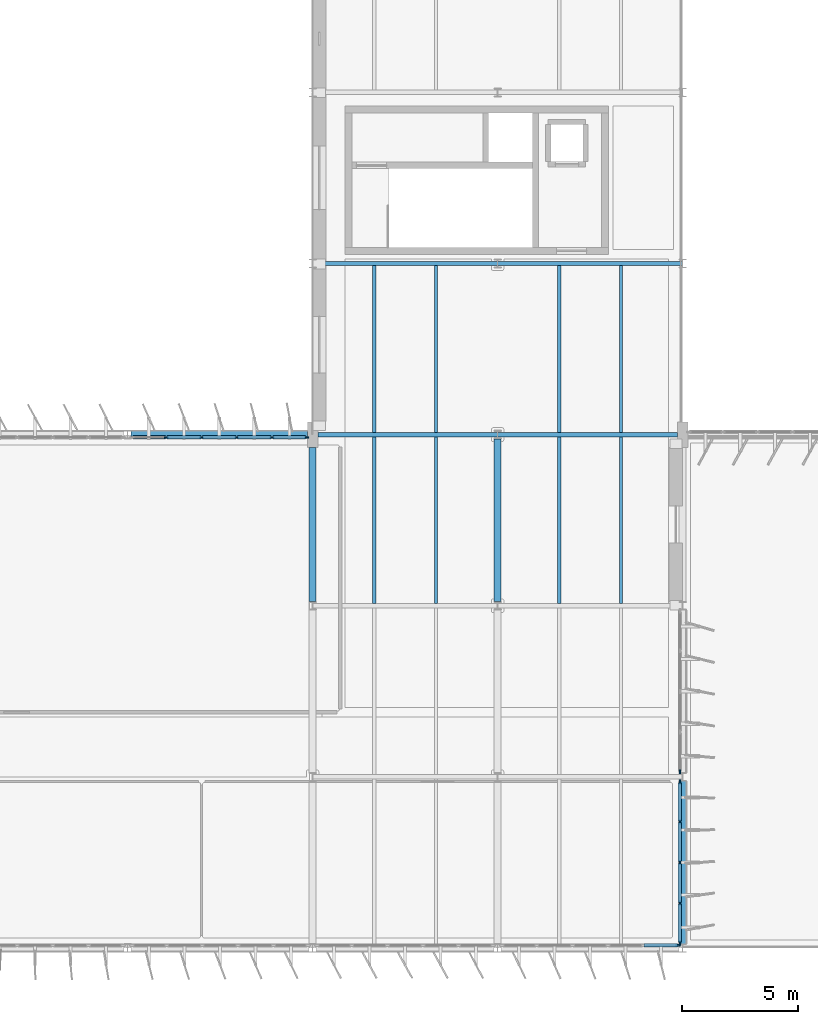
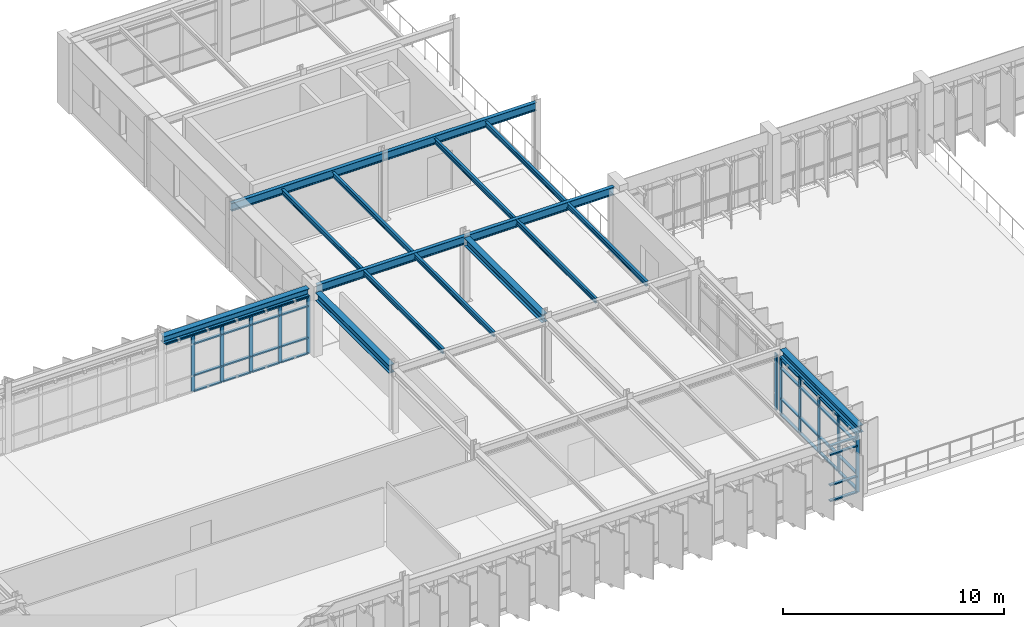
# One storey, part 17 of 45: 49 members, 16 beams, 4 elements without a shape of their own.
"""IFC4 building model written with IfcOpenShell, lengths in metres."""

from ifc_helpers import new_model, si_unit, direction, frame, origin, origin_2d, place, context, subcontext, project, spatial, rectangle, i_section, extrude, material, layer, layer_set, material_profile, profile_set, type_object, element, aggregate, save


model = new_model("IFC4")

# Units and contexts
model_context = context("Model", 3, precision=1e-05, world=origin(), true_north=direction((0.0, 1.0)))
body_context = subcontext(model_context, "Body", "Model", "MODEL_VIEW")
ifc_project = project(units=[si_unit("LENGTHUNIT", "METRE"), si_unit("AREAUNIT", "SQUARE_METRE"), si_unit("VOLUMEUNIT", "CUBIC_METRE"), si_unit("PLANEANGLEUNIT", "RADIAN"), si_unit("MASSUNIT", "GRAM", prefix="KILO")], contexts=[model_context])

# Site, building, storey
site_placement = place(None, origin())
site = spatial("IfcSite", under=ifc_project, at=site_placement, CompositionType="ELEMENT")
building_placement = place(site_placement, origin())
building = spatial("IfcBuilding", under=site, at=building_placement, Name="Valkorina Park Police Headquarters", CompositionType="ELEMENT")
storey_placement = place(building_placement, frame((0.0, 0.0, 23.300048828125)))
storey = spatial("IfcBuildingStorey", under=building, at=storey_placement, Name="L06", CompositionType="ELEMENT", Elevation=23.300048828125)

# Beams
ifc_material_1 = material(Name="Steel S355", Category="steel")
ifc_material_profile_1 = material_profile(ifc_material_1, i_section(OverallWidth=0.300048828125, OverallDepth=0.389892578125, WebThickness=0.010986328125, FlangeThickness=0.01904296875, FilletRadius=0.027099609375, at=origin_2d()), Name="HEA 400")
ifc_profile_set_1 = profile_set([ifc_material_profile_1], Name="Steel S355")
beam_type_1 = type_object("IfcBeamType", Name="BM-S355-HEA400-SPN", PredefinedType="SPANDREL", material=ifc_profile_set_1)
beam_1_placement = place(storey_placement, frame((72.949951171875, 59.199951171875, 3.375), z_axis=(1.0, 0.0, 0.0), x_axis=(0.0, 1.0, 0.0)))
element("IfcBeam", 1, at=beam_1_placement, inside=storey, type_object=beam_type_1, Name="L06 Framing Beam 2638", PredefinedType="SPANDREL", context=body_context, shape_type="SweptSolid", body=[
    extrude(i_section(OverallWidth=0.300048828125, OverallDepth=0.389892578125, WebThickness=0.010986328125, FlangeThickness=0.01904296875, FilletRadius=0.027099609375, at=origin_2d()), origin(), (0.0, 0.0, 1.0), 7.625),
])
beam_2_placement = place(storey_placement, frame((96.800048828125, 37.179931640625, 3.375), z_axis=(0.0, 1.0, 0.0), x_axis=(-1.0, 0.0, 0.0)))
element("IfcBeam", 2, at=beam_2_placement, inside=storey, type_object=beam_type_1, Name="L06 Framing Beam 2721", PredefinedType="SPANDREL", context=body_context, shape_type="SweptSolid", body=[
    extrude(i_section(OverallWidth=0.300048828125, OverallDepth=0.389892578125, WebThickness=0.010986328125, FlangeThickness=0.01904296875, FilletRadius=0.027099609375, at=origin_2d()), origin(), (0.0, 0.0, 1.0), 7.0400390625),
])
ifc_material_profile_2 = material_profile(ifc_material_1, i_section(OverallWidth=0.300048828125, OverallDepth=0.449951171875, WebThickness=0.013916015625, FlangeThickness=0.02587890625, FilletRadius=0.027099609375, at=origin_2d()), Name="HEB 450")
ifc_profile_set_2 = profile_set([ifc_material_profile_2], Name="Steel S355")
beam_type_2 = type_object("IfcBeamType", Name="BM-S355-HEB450-BM", PredefinedType="BEAM", material=ifc_profile_set_2)
beam_3_placement = place(storey_placement, frame((80.800048828125, 51.97998046875, 3.344970703125), z_axis=(0.0, 1.0, 0.0), x_axis=(-1.0, 0.0, 0.0)))
element("IfcBeam", 3, at=beam_3_placement, inside=storey, type_object=beam_type_2, Name="L06 Framing Beam 2701", PredefinedType="BEAM", context=body_context, shape_type="SweptSolid", body=[
    extrude(i_section(OverallWidth=0.300048828125, OverallDepth=0.449951171875, WebThickness=0.013916015625, FlangeThickness=0.02587890625, FilletRadius=0.027099609375, at=origin_2d()), origin(), (0.0, 0.0, 1.0), 6.669921875),
])
beam_4_placement = place(storey_placement, frame((88.800048828125, 51.97998046875, 3.344970703125), z_axis=(0.0, 1.0, 0.0), x_axis=(-1.0, 0.0, 0.0)))
element("IfcBeam", 4, at=beam_4_placement, inside=storey, type_object=beam_type_2, Name="L06 Framing Beam 2714", PredefinedType="BEAM", context=body_context, shape_type="SweptSolid", body=[
    extrude(i_section(OverallWidth=0.300048828125, OverallDepth=0.449951171875, WebThickness=0.013916015625, FlangeThickness=0.02587890625, FilletRadius=0.027099609375, at=origin_2d()), origin(), (0.0, 0.0, 1.0), 7.0400390625),
])
ifc_material_profile_3 = material_profile(ifc_material_1, i_section(OverallWidth=0.135009765625, OverallDepth=0.27001953125, WebThickness=0.006591796875, FlangeThickness=0.01025390625, FilletRadius=0.014892578125, at=origin_2d()), Name="IPE 270")
ifc_profile_set_3 = profile_set([ifc_material_profile_3], Name="Steel S355")
beam_type_3 = type_object("IfcBeamType", Name="BM-S355-IPE270-JST", PredefinedType="JOIST", material=ifc_profile_set_3)
for number, where, z_axis, x_axis, name in (
    (5, (83.466796875, 51.89501953125, 3.43505859375), (0.0, 1.0, 0.0), (-1.0, 0.0, 0.0), "L06 Framing Beam 2702"),
    (6, (86.13330078125, 51.89501953125, 3.43505859375), (0.0, 1.0, 0.0), (-1.0, 0.0, 0.0), "L06 Framing Beam 2703"),
    (7, (83.466796875, 59.294921875, 3.43505859375), (0.0, 1.0, 0.0), (-1.0, 0.0, 0.0), "L06 Framing Beam 2704"),
    (8, (86.13330078125, 59.294921875, 3.43505859375), (0.0, 1.0, 0.0), (-1.0, 0.0, 0.0), "L06 Framing Beam 2705"),
    (9, (91.466796875, 51.89501953125, 3.43505859375), (0.0, 1.0, 0.0), (-1.0, 0.0, 0.0), "L06 Framing Beam 2715"),
    (10, (94.13330078125, 51.89501953125, 3.43505859375), (0.0, 1.0, 0.0), (-1.0, 0.0, 0.0), "L06 Framing Beam 2716"),
    (11, (91.466796875, 59.294921875, 3.43505859375), (0.0, 1.0, 0.0), (-1.0, 0.0, 0.0), "L06 Framing Beam 2717"),
    (12, (94.13330078125, 59.294921875, 3.43505859375), (0.0, 1.0, 0.0), (-1.0, 0.0, 0.0), "L06 Framing Beam 2718"),
):
    element("IfcBeam", number, at=place(storey_placement, frame(where, z_axis=z_axis, x_axis=x_axis)), inside=storey, type_object=beam_type_3, Name=name, PredefinedType="JOIST", context=body_context, shape_type="SweptSolid", body=[
        extrude(i_section(OverallWidth=0.135009765625, OverallDepth=0.27001953125, WebThickness=0.006591796875, FlangeThickness=0.01025390625, FilletRadius=0.014892578125, at=origin_2d()), origin(), (0.0, 0.0, 1.0), 7.2099609375),
    ])
ifc_material_profile_4 = material_profile(ifc_material_1, i_section(OverallWidth=0.18994140625, OverallDepth=0.449951171875, WebThickness=0.009521484375, FlangeThickness=0.0146484375, FilletRadius=0.02099609375, at=origin_2d()), Name="IPE 450")
ifc_profile_set_4 = profile_set([ifc_material_profile_4], Name="Steel S355")
beam_type_4 = type_object("IfcBeamType", Name="BM-S355-IPE450-BM", PredefinedType="BEAM", material=ifc_profile_set_4)
beam_5_placement = place(storey_placement, frame((81.02490234375, 59.199951171875, 3.344970703125), z_axis=(1.0, 0.0, 0.0), x_axis=(0.0, 1.0, 0.0)))
element("IfcBeam", 13, at=beam_5_placement, inside=storey, type_object=beam_type_4, Name="L06 Framing Beam 2639", PredefinedType="BEAM", context=body_context, shape_type="SweptSolid", body=[
    extrude(i_section(OverallWidth=0.18994140625, OverallDepth=0.449951171875, WebThickness=0.009521484375, FlangeThickness=0.0146484375, FilletRadius=0.02099609375, at=origin_2d()), origin(), (0.0, 0.0, 1.0), 7.768798828125),
])
beam_6_placement = place(storey_placement, frame((88.806396484375, 59.199951171875, 3.344970703125), z_axis=(1.0, 0.0, 0.0), x_axis=(0.0, 1.0, 0.0)))
element("IfcBeam", 14, at=beam_6_placement, inside=storey, type_object=beam_type_4, Name="L06 Framing Beam 2640", PredefinedType="BEAM", context=body_context, shape_type="SweptSolid", body=[
    extrude(i_section(OverallWidth=0.18994140625, OverallDepth=0.449951171875, WebThickness=0.009521484375, FlangeThickness=0.0146484375, FilletRadius=0.02099609375, at=origin_2d()), origin(), (0.0, 0.0, 1.0), 7.7685546875),
])
for number, where, z_axis, x_axis, name in (
    (15, (80.806396484375, 66.60009765625, 3.454833984375), (1.0, 0.0, 0.0), (0.0, 1.0, 0.0), "L06 Framing Beam 2645"),
    (16, (88.806396484375, 66.60009765625, 3.454833984375), (1.0, 0.0, 0.0), (0.0, 1.0, 0.0), "L06 Framing Beam 2646"),
):
    element("IfcBeam", number, at=place(storey_placement, frame(where, z_axis=z_axis, x_axis=x_axis)), inside=storey, type_object=beam_type_4, Name=name, PredefinedType="BEAM", context=body_context, shape_type="SweptSolid", body=[
        extrude(i_section(OverallWidth=0.18994140625, OverallDepth=0.449951171875, WebThickness=0.009521484375, FlangeThickness=0.0146484375, FilletRadius=0.02099609375, at=origin_2d()), origin(), (0.0, 0.0, 1.0), 7.9873046875),
    ])

# Curtain wall, members
ifc_material_2 = material(Name="Thermally broken aluminium AW-6060", Category="aluminium")
ifc_layer_1 = layer(ifc_material_2, 0.18994140625)
ifc_layer_set_1 = layer_set([ifc_layer_1], Name="Thermally broken aluminium AW-6060")
curtain_wall_type_1 = type_object("IfcCurtainWallType", Name="CW-V5-7600x3170", PredefinedType="NOTDEFINED", material=ifc_layer_set_1)
curtain_wall_1_placement = place(storey_placement, origin())
curtain_wall_1 = element("IfcCurtainWall", 17, at=curtain_wall_1_placement, inside=storey, type_object=curtain_wall_type_1, Name="L06 Unitised Curtain Wall 109", PredefinedType="NOTDEFINED")
ifc_material_profile_5 = material_profile(ifc_material_2, rectangle(XDim=0.070068359375, YDim=0.18994140625, at=origin_2d()), Name="CWM-02 70x190")
ifc_profile_set_5 = profile_set([ifc_material_profile_5], Name="Thermally broken aluminium AW-6060")
member_type_1 = type_object("IfcMemberType", Name="CWM-70x190", PredefinedType="MULLION", material=ifc_profile_set_5)
member_1_placement = place(storey_placement, frame((74.48095703125, 59.080078125, 0.0), z_axis=(0.0, 0.0, 1.0), x_axis=(0.0, 1.0, 0.0)))
member_1 = element("IfcMember", 18, at=member_1_placement, type_object=member_type_1, Name="CW-V5-760-317 mullion 2", PredefinedType="MULLION", context=body_context, shape_type="SweptSolid", body=[
    extrude(rectangle(XDim=0.070068359375, YDim=0.18994140625, at=origin_2d()), origin(), (0.0, 0.0, 1.0), 3.169921875),
])
member_2_placement = place(storey_placement, frame((76.001953125, 59.080078125, 0.0), z_axis=(0.0, 0.0, 1.0), x_axis=(0.0, 1.0, 0.0)))
member_2 = element("IfcMember", 19, at=member_2_placement, type_object=member_type_1, Name="CW-V5-760-317 mullion 3", PredefinedType="MULLION", context=body_context, shape_type="SweptSolid", body=[
    extrude(rectangle(XDim=0.070068359375, YDim=0.18994140625, at=origin_2d()), origin(), (0.0, 0.0, 1.0), 3.169921875),
])
member_3_placement = place(storey_placement, frame((77.52294921875, 59.080078125, 0.0), z_axis=(0.0, 0.0, 1.0), x_axis=(0.0, 1.0, 0.0)))
member_3 = element("IfcMember", 20, at=member_3_placement, type_object=member_type_1, Name="CW-V5-760-317 mullion 4", PredefinedType="MULLION", context=body_context, shape_type="SweptSolid", body=[
    extrude(rectangle(XDim=0.070068359375, YDim=0.18994140625, at=origin_2d()), origin(), (0.0, 0.0, 1.0), 3.169921875),
])
member_4_placement = place(storey_placement, frame((79.0439453125, 59.080078125, 0.0), z_axis=(0.0, 0.0, 1.0), x_axis=(0.0, 1.0, 0.0)))
member_4 = element("IfcMember", 21, at=member_4_placement, type_object=member_type_1, Name="CW-V5-760-317 mullion 5", PredefinedType="MULLION", context=body_context, shape_type="SweptSolid", body=[
    extrude(rectangle(XDim=0.070068359375, YDim=0.18994140625, at=origin_2d()), origin(), (0.0, 0.0, 1.0), 3.169921875),
])
member_5_placement = place(storey_placement, frame((80.530029296875, 59.080078125, 0.0), z_axis=(0.0, 0.0, 1.0), x_axis=(0.0, 1.0, 0.0)))
member_5 = element("IfcMember", 22, at=member_5_placement, type_object=member_type_1, Name="CW-V5-760-317 mullion 6", PredefinedType="MULLION", context=body_context, shape_type="SweptSolid", body=[
    extrude(rectangle(XDim=0.070068359375, YDim=0.18994140625, at=origin_2d()), origin(), (0.0, 0.0, 1.0), 3.169921875),
])

# Curtain wall, member
ifc_layer_2 = layer(ifc_material_2, 0.18994140625)
ifc_layer_set_2 = layer_set([ifc_layer_2], Name="Thermally broken aluminium AW-6060")
curtain_wall_type_2 = type_object("IfcCurtainWallType", Name="CW-V5-7020x3110", PredefinedType="NOTDEFINED", material=ifc_layer_set_2)
curtain_wall_2_placement = place(storey_placement, origin())
curtain_wall_2 = element("IfcCurtainWall", 23, at=curtain_wall_2_placement, inside=storey, type_object=curtain_wall_type_2, Name="L06 Unitised Curtain Wall 119", PredefinedType="NOTDEFINED")
member_6_placement = place(storey_placement, frame((96.679931640625, 44.625, 0.0), z_axis=(0.0, 0.0, 1.0), x_axis=(1.0, 0.0, 0.0)))
member_6 = element("IfcMember", 24, at=member_6_placement, type_object=member_type_1, Name="CW-V5-702-311 mullion 5", PredefinedType="MULLION", context=body_context, shape_type="SweptSolid", body=[
    extrude(rectangle(XDim=0.070068359375, YDim=0.18994140625, at=origin_2d()), origin(), (0.0, 0.0, 1.0), 3.10986328125),
])
aggregate(curtain_wall_2, [member_6])

# Curtain wall, members
curtain_wall_3_placement = place(storey_placement, origin())
curtain_wall_3 = element("IfcCurtainWall", 25, at=curtain_wall_3_placement, inside=storey, type_object=curtain_wall_type_2, Name="L06 Unitised Curtain Wall 120", PredefinedType="NOTDEFINED")
member_7_placement = place(storey_placement, frame((96.679931640625, 44.175048828125, 0.0), z_axis=(0.0, 0.0, 1.0), x_axis=(1.0, 0.0, 0.0)))
member_7 = element("IfcMember", 26, at=member_7_placement, type_object=member_type_1, Name="CW-V5-702-311 mullion 1", PredefinedType="MULLION", context=body_context, shape_type="SweptSolid", body=[
    extrude(rectangle(XDim=0.070068359375, YDim=0.18994140625, at=origin_2d()), origin(), (0.0, 0.0, 1.0), 3.10986328125),
])
member_8_placement = place(storey_placement, frame((96.679931640625, 42.455078125, 0.0), z_axis=(0.0, 0.0, 1.0), x_axis=(1.0, 0.0, 0.0)))
member_8 = element("IfcMember", 27, at=member_8_placement, type_object=member_type_1, Name="CW-V5-702-311 mullion 2", PredefinedType="MULLION", context=body_context, shape_type="SweptSolid", body=[
    extrude(rectangle(XDim=0.070068359375, YDim=0.18994140625, at=origin_2d()), origin(), (0.0, 0.0, 1.0), 3.10986328125),
])
member_9_placement = place(storey_placement, frame((96.679931640625, 40.699951171875, 0.0), z_axis=(0.0, 0.0, 1.0), x_axis=(1.0, 0.0, 0.0)))
member_9 = element("IfcMember", 28, at=member_9_placement, type_object=member_type_1, Name="CW-V5-702-311 mullion 3", PredefinedType="MULLION", context=body_context, shape_type="SweptSolid", body=[
    extrude(rectangle(XDim=0.070068359375, YDim=0.18994140625, at=origin_2d()), origin(), (0.0, 0.0, 1.0), 3.10986328125),
])
member_10_placement = place(storey_placement, frame((96.679931640625, 38.945068359375, 0.0), z_axis=(0.0, 0.0, 1.0), x_axis=(1.0, 0.0, 0.0)))
member_10 = element("IfcMember", 29, at=member_10_placement, type_object=member_type_1, Name="CW-V5-702-311 mullion 4", PredefinedType="MULLION", context=body_context, shape_type="SweptSolid", body=[
    extrude(rectangle(XDim=0.070068359375, YDim=0.18994140625, at=origin_2d()), origin(), (0.0, 0.0, 1.0), 3.10986328125),
])
member_11_placement = place(storey_placement, frame((96.679931640625, 37.22509765625, 0.0), z_axis=(0.0, 0.0, 1.0), x_axis=(1.0, 0.0, 0.0)))
member_11 = element("IfcMember", 30, at=member_11_placement, type_object=member_type_1, Name="CW-V5-702-311 mullion 5", PredefinedType="MULLION", context=body_context, shape_type="SweptSolid", body=[
    extrude(rectangle(XDim=0.070068359375, YDim=0.18994140625, at=origin_2d()), origin(), (0.0, 0.0, 1.0), 3.10986328125),
])

# Curtain wall, member
ifc_layer_3 = layer(ifc_material_2, 0.18994140625)
ifc_layer_set_3 = layer_set([ifc_layer_3], Name="Thermally broken aluminium AW-6060")
curtain_wall_type_3 = type_object("IfcCurtainWallType", Name="CW-V5-7680x3110", PredefinedType="NOTDEFINED", material=ifc_layer_set_3)
curtain_wall_4_placement = place(storey_placement, origin())
curtain_wall_4 = element("IfcCurtainWall", 31, at=curtain_wall_4_placement, inside=storey, type_object=curtain_wall_type_3, Name="L06 Unitised Curtain Wall 121", PredefinedType="NOTDEFINED")
member_12_placement = place(storey_placement, frame((96.60498046875, 37.1201171875, 0.0), z_axis=(0.0, 0.0, 1.0), x_axis=(0.0, -1.0, 0.0)))
member_12 = element("IfcMember", 32, at=member_12_placement, type_object=member_type_1, Name="CW-V5-768-311 mullion 1", PredefinedType="MULLION", context=body_context, shape_type="SweptSolid", body=[
    extrude(rectangle(XDim=0.070068359375, YDim=0.18994140625, at=origin_2d()), origin(), (0.0, 0.0, 1.0), 3.10986328125),
])

# Member
ifc_material_profile_6 = material_profile(ifc_material_2, rectangle(XDim=0.14990234375, YDim=0.070068359375, at=origin_2d()), Name="CWT-02 150x70")
ifc_profile_set_6 = profile_set([ifc_material_profile_6], Name="Thermally broken aluminium AW-6060")
member_type_2 = type_object("IfcMemberType", Name="CWT-150x70", PredefinedType="USERDEFINED", material=ifc_profile_set_6)
member_13_placement = place(storey_placement, frame((73.030029296875, 59.080078125, 3.135009765625), z_axis=(1.0, 0.0, 0.0), x_axis=(0.0, 1.0, 0.0)))
member_13 = element("IfcMember", 33, at=member_13_placement, type_object=member_type_2, Name="CW-V5-760-317 transom 1.4", ObjectType="TRANSOM", PredefinedType="USERDEFINED", context=body_context, shape_type="SweptSolid", body=[
    extrude(rectangle(XDim=0.14990234375, YDim=0.070068359375, at=origin_2d()), origin(), (0.0, 0.0, 1.0), 1.416015625),
])

member_14_placement = place(storey_placement, frame((74.51611328125, 59.080078125, 0.034912109375), z_axis=(1.0, 0.0, 0.0), x_axis=(0.0, 1.0, 0.0)))
member_14 = element("IfcMember", 34, at=member_14_placement, type_object=member_type_2, Name="CW-V5-760-317 transom 2.1", ObjectType="TRANSOM", PredefinedType="USERDEFINED", context=body_context, shape_type="SweptSolid", body=[
    extrude(rectangle(XDim=0.14990234375, YDim=0.070068359375, at=origin_2d()), origin(), (0.0, 0.0, 1.0), 1.450927734375),
])

member_15_placement = place(storey_placement, frame((74.51611328125, 59.080078125, 0.89990234375), z_axis=(1.0, 0.0, 0.0), x_axis=(0.0, 1.0, 0.0)))
member_15 = element("IfcMember", 35, at=member_15_placement, type_object=member_type_2, Name="CW-V5-760-317 transom 2.2", ObjectType="TRANSOM", PredefinedType="USERDEFINED", context=body_context, shape_type="SweptSolid", body=[
    extrude(rectangle(XDim=0.14990234375, YDim=0.070068359375, at=origin_2d()), origin(), (0.0, 0.0, 1.0), 1.450927734375),
])

member_16_placement = place(storey_placement, frame((74.51611328125, 59.080078125, 2.64990234375), z_axis=(1.0, 0.0, 0.0), x_axis=(0.0, 1.0, 0.0)))
member_16 = element("IfcMember", 36, at=member_16_placement, type_object=member_type_2, Name="CW-V5-760-317 transom 2.3", ObjectType="TRANSOM", PredefinedType="USERDEFINED", context=body_context, shape_type="SweptSolid", body=[
    extrude(rectangle(XDim=0.14990234375, YDim=0.070068359375, at=origin_2d()), origin(), (0.0, 0.0, 1.0), 1.450927734375),
])

member_17_placement = place(storey_placement, frame((74.51611328125, 59.080078125, 3.135009765625), z_axis=(1.0, 0.0, 0.0), x_axis=(0.0, 1.0, 0.0)))
member_17 = element("IfcMember", 37, at=member_17_placement, type_object=member_type_2, Name="CW-V5-760-317 transom 2.4", ObjectType="TRANSOM", PredefinedType="USERDEFINED", context=body_context, shape_type="SweptSolid", body=[
    extrude(rectangle(XDim=0.14990234375, YDim=0.070068359375, at=origin_2d()), origin(), (0.0, 0.0, 1.0), 1.450927734375),
])

member_18_placement = place(storey_placement, frame((76.037109375, 59.080078125, 0.034912109375), z_axis=(1.0, 0.0, 0.0), x_axis=(0.0, 1.0, 0.0)))
member_18 = element("IfcMember", 38, at=member_18_placement, type_object=member_type_2, Name="CW-V5-760-317 transom 3.1", ObjectType="TRANSOM", PredefinedType="USERDEFINED", context=body_context, shape_type="SweptSolid", body=[
    extrude(rectangle(XDim=0.14990234375, YDim=0.070068359375, at=origin_2d()), origin(), (0.0, 0.0, 1.0), 1.450927734375),
])

member_19_placement = place(storey_placement, frame((76.037109375, 59.080078125, 0.89990234375), z_axis=(1.0, 0.0, 0.0), x_axis=(0.0, 1.0, 0.0)))
member_19 = element("IfcMember", 39, at=member_19_placement, type_object=member_type_2, Name="CW-V5-760-317 transom 3.2", ObjectType="TRANSOM", PredefinedType="USERDEFINED", context=body_context, shape_type="SweptSolid", body=[
    extrude(rectangle(XDim=0.14990234375, YDim=0.070068359375, at=origin_2d()), origin(), (0.0, 0.0, 1.0), 1.450927734375),
])

member_20_placement = place(storey_placement, frame((76.037109375, 59.080078125, 2.64990234375), z_axis=(1.0, 0.0, 0.0), x_axis=(0.0, 1.0, 0.0)))
member_20 = element("IfcMember", 40, at=member_20_placement, type_object=member_type_2, Name="CW-V5-760-317 transom 3.3", ObjectType="TRANSOM", PredefinedType="USERDEFINED", context=body_context, shape_type="SweptSolid", body=[
    extrude(rectangle(XDim=0.14990234375, YDim=0.070068359375, at=origin_2d()), origin(), (0.0, 0.0, 1.0), 1.450927734375),
])

member_21_placement = place(storey_placement, frame((76.037109375, 59.080078125, 3.135009765625), z_axis=(1.0, 0.0, 0.0), x_axis=(0.0, 1.0, 0.0)))
member_21 = element("IfcMember", 41, at=member_21_placement, type_object=member_type_2, Name="CW-V5-760-317 transom 3.4", ObjectType="TRANSOM", PredefinedType="USERDEFINED", context=body_context, shape_type="SweptSolid", body=[
    extrude(rectangle(XDim=0.14990234375, YDim=0.070068359375, at=origin_2d()), origin(), (0.0, 0.0, 1.0), 1.450927734375),
])

member_22_placement = place(storey_placement, frame((77.55810546875, 59.080078125, 0.034912109375), z_axis=(1.0, 0.0, 0.0), x_axis=(0.0, 1.0, 0.0)))
member_22 = element("IfcMember", 42, at=member_22_placement, type_object=member_type_2, Name="CW-V5-760-317 transom 4.1", ObjectType="TRANSOM", PredefinedType="USERDEFINED", context=body_context, shape_type="SweptSolid", body=[
    extrude(rectangle(XDim=0.14990234375, YDim=0.070068359375, at=origin_2d()), origin(), (0.0, 0.0, 1.0), 1.450927734375),
])

member_23_placement = place(storey_placement, frame((77.55810546875, 59.080078125, 0.89990234375), z_axis=(1.0, 0.0, 0.0), x_axis=(0.0, 1.0, 0.0)))
member_23 = element("IfcMember", 43, at=member_23_placement, type_object=member_type_2, Name="CW-V5-760-317 transom 4.2", ObjectType="TRANSOM", PredefinedType="USERDEFINED", context=body_context, shape_type="SweptSolid", body=[
    extrude(rectangle(XDim=0.14990234375, YDim=0.070068359375, at=origin_2d()), origin(), (0.0, 0.0, 1.0), 1.450927734375),
])

member_24_placement = place(storey_placement, frame((77.55810546875, 59.080078125, 2.64990234375), z_axis=(1.0, 0.0, 0.0), x_axis=(0.0, 1.0, 0.0)))
member_24 = element("IfcMember", 44, at=member_24_placement, type_object=member_type_2, Name="CW-V5-760-317 transom 4.3", ObjectType="TRANSOM", PredefinedType="USERDEFINED", context=body_context, shape_type="SweptSolid", body=[
    extrude(rectangle(XDim=0.14990234375, YDim=0.070068359375, at=origin_2d()), origin(), (0.0, 0.0, 1.0), 1.450927734375),
])

member_25_placement = place(storey_placement, frame((77.55810546875, 59.080078125, 3.135009765625), z_axis=(1.0, 0.0, 0.0), x_axis=(0.0, 1.0, 0.0)))
member_25 = element("IfcMember", 45, at=member_25_placement, type_object=member_type_2, Name="CW-V5-760-317 transom 4.4", ObjectType="TRANSOM", PredefinedType="USERDEFINED", context=body_context, shape_type="SweptSolid", body=[
    extrude(rectangle(XDim=0.14990234375, YDim=0.070068359375, at=origin_2d()), origin(), (0.0, 0.0, 1.0), 1.450927734375),
])

member_26_placement = place(storey_placement, frame((79.0791015625, 59.080078125, 0.034912109375), z_axis=(1.0, 0.0, 0.0), x_axis=(0.0, 1.0, 0.0)))
member_26 = element("IfcMember", 46, at=member_26_placement, type_object=member_type_2, Name="CW-V5-760-317 transom 5.1", ObjectType="TRANSOM", PredefinedType="USERDEFINED", context=body_context, shape_type="SweptSolid", body=[
    extrude(rectangle(XDim=0.14990234375, YDim=0.070068359375, at=origin_2d()), origin(), (0.0, 0.0, 1.0), 1.416015625),
])

member_27_placement = place(storey_placement, frame((79.0791015625, 59.080078125, 0.89990234375), z_axis=(1.0, 0.0, 0.0), x_axis=(0.0, 1.0, 0.0)))
member_27 = element("IfcMember", 47, at=member_27_placement, type_object=member_type_2, Name="CW-V5-760-317 transom 5.2", ObjectType="TRANSOM", PredefinedType="USERDEFINED", context=body_context, shape_type="SweptSolid", body=[
    extrude(rectangle(XDim=0.14990234375, YDim=0.070068359375, at=origin_2d()), origin(), (0.0, 0.0, 1.0), 1.416015625),
])

member_28_placement = place(storey_placement, frame((79.0791015625, 59.080078125, 2.64990234375), z_axis=(1.0, 0.0, 0.0), x_axis=(0.0, 1.0, 0.0)))
member_28 = element("IfcMember", 48, at=member_28_placement, type_object=member_type_2, Name="CW-V5-760-317 transom 5.3", ObjectType="TRANSOM", PredefinedType="USERDEFINED", context=body_context, shape_type="SweptSolid", body=[
    extrude(rectangle(XDim=0.14990234375, YDim=0.070068359375, at=origin_2d()), origin(), (0.0, 0.0, 1.0), 1.416015625),
])

member_29_placement = place(storey_placement, frame((79.0791015625, 59.080078125, 3.135009765625), z_axis=(1.0, 0.0, 0.0), x_axis=(0.0, 1.0, 0.0)))
member_29 = element("IfcMember", 49, at=member_29_placement, type_object=member_type_2, Name="CW-V5-760-317 transom 5.4", ObjectType="TRANSOM", PredefinedType="USERDEFINED", context=body_context, shape_type="SweptSolid", body=[
    extrude(rectangle(XDim=0.14990234375, YDim=0.070068359375, at=origin_2d()), origin(), (0.0, 0.0, 1.0), 1.416015625),
])

aggregate(curtain_wall_1, [member_1, member_2, member_3, member_4, member_5, member_13, member_14, member_15, member_16, member_17, member_18, member_19, member_20, member_21, member_22, member_23, member_24, member_25, member_26, member_27, member_28, member_29])

member_30_placement = place(storey_placement, frame((96.679931640625, 44.139892578125, 0.034912109375), z_axis=(0.0, -1.0, 0.0), x_axis=(1.0, 0.0, 0.0)))
member_30 = element("IfcMember", 50, at=member_30_placement, type_object=member_type_2, Name="CW-V5-702-311 transom 1.1", ObjectType="TRANSOM", PredefinedType="USERDEFINED", context=body_context, shape_type="SweptSolid", body=[
    extrude(rectangle(XDim=0.14990234375, YDim=0.070068359375, at=origin_2d()), origin(), (0.0, 0.0, 1.0), 1.64990234375),
])

member_31_placement = place(storey_placement, frame((96.679931640625, 44.139892578125, 0.89990234375), z_axis=(0.0, -1.0, 0.0), x_axis=(1.0, 0.0, 0.0)))
member_31 = element("IfcMember", 51, at=member_31_placement, type_object=member_type_2, Name="CW-V5-702-311 transom 1.2", ObjectType="TRANSOM", PredefinedType="USERDEFINED", context=body_context, shape_type="SweptSolid", body=[
    extrude(rectangle(XDim=0.14990234375, YDim=0.070068359375, at=origin_2d()), origin(), (0.0, 0.0, 1.0), 1.64990234375),
])

member_32_placement = place(storey_placement, frame((96.679931640625, 44.139892578125, 2.58984375), z_axis=(0.0, -1.0, 0.0), x_axis=(1.0, 0.0, 0.0)))
member_32 = element("IfcMember", 52, at=member_32_placement, type_object=member_type_2, Name="CW-V5-702-311 transom 1.3", ObjectType="TRANSOM", PredefinedType="USERDEFINED", context=body_context, shape_type="SweptSolid", body=[
    extrude(rectangle(XDim=0.14990234375, YDim=0.070068359375, at=origin_2d()), origin(), (0.0, 0.0, 1.0), 1.64990234375),
])

member_33_placement = place(storey_placement, frame((96.679931640625, 44.139892578125, 3.074951171875), z_axis=(0.0, -1.0, 0.0), x_axis=(1.0, 0.0, 0.0)))
member_33 = element("IfcMember", 53, at=member_33_placement, type_object=member_type_2, Name="CW-V5-702-311 transom 1.4", ObjectType="TRANSOM", PredefinedType="USERDEFINED", context=body_context, shape_type="SweptSolid", body=[
    extrude(rectangle(XDim=0.14990234375, YDim=0.070068359375, at=origin_2d()), origin(), (0.0, 0.0, 1.0), 1.64990234375),
])

member_34_placement = place(storey_placement, frame((96.679931640625, 42.419921875, 0.034912109375), z_axis=(0.0, -1.0, 0.0), x_axis=(1.0, 0.0, 0.0)))
member_34 = element("IfcMember", 54, at=member_34_placement, type_object=member_type_2, Name="CW-V5-702-311 transom 2.1", ObjectType="TRANSOM", PredefinedType="USERDEFINED", context=body_context, shape_type="SweptSolid", body=[
    extrude(rectangle(XDim=0.14990234375, YDim=0.070068359375, at=origin_2d()), origin(), (0.0, 0.0, 1.0), 1.684814453125),
])

member_35_placement = place(storey_placement, frame((96.679931640625, 42.419921875, 0.89990234375), z_axis=(0.0, -1.0, 0.0), x_axis=(1.0, 0.0, 0.0)))
member_35 = element("IfcMember", 55, at=member_35_placement, type_object=member_type_2, Name="CW-V5-702-311 transom 2.2", ObjectType="TRANSOM", PredefinedType="USERDEFINED", context=body_context, shape_type="SweptSolid", body=[
    extrude(rectangle(XDim=0.14990234375, YDim=0.070068359375, at=origin_2d()), origin(), (0.0, 0.0, 1.0), 1.684814453125),
])

member_36_placement = place(storey_placement, frame((96.679931640625, 42.419921875, 2.58984375), z_axis=(0.0, -1.0, 0.0), x_axis=(1.0, 0.0, 0.0)))
member_36 = element("IfcMember", 56, at=member_36_placement, type_object=member_type_2, Name="CW-V5-702-311 transom 2.3", ObjectType="TRANSOM", PredefinedType="USERDEFINED", context=body_context, shape_type="SweptSolid", body=[
    extrude(rectangle(XDim=0.14990234375, YDim=0.070068359375, at=origin_2d()), origin(), (0.0, 0.0, 1.0), 1.684814453125),
])

member_37_placement = place(storey_placement, frame((96.679931640625, 42.419921875, 3.074951171875), z_axis=(0.0, -1.0, 0.0), x_axis=(1.0, 0.0, 0.0)))
member_37 = element("IfcMember", 57, at=member_37_placement, type_object=member_type_2, Name="CW-V5-702-311 transom 2.4", ObjectType="TRANSOM", PredefinedType="USERDEFINED", context=body_context, shape_type="SweptSolid", body=[
    extrude(rectangle(XDim=0.14990234375, YDim=0.070068359375, at=origin_2d()), origin(), (0.0, 0.0, 1.0), 1.684814453125),
])

member_38_placement = place(storey_placement, frame((96.679931640625, 40.6650390625, 0.034912109375), z_axis=(0.0, -1.0, 0.0), x_axis=(1.0, 0.0, 0.0)))
member_38 = element("IfcMember", 58, at=member_38_placement, type_object=member_type_2, Name="CW-V5-702-311 transom 3.1", ObjectType="TRANSOM", PredefinedType="USERDEFINED", context=body_context, shape_type="SweptSolid", body=[
    extrude(rectangle(XDim=0.14990234375, YDim=0.070068359375, at=origin_2d()), origin(), (0.0, 0.0, 1.0), 1.68505859375),
])

member_39_placement = place(storey_placement, frame((96.679931640625, 40.6650390625, 0.89990234375), z_axis=(0.0, -1.0, 0.0), x_axis=(1.0, 0.0, 0.0)))
member_39 = element("IfcMember", 59, at=member_39_placement, type_object=member_type_2, Name="CW-V5-702-311 transom 3.2", ObjectType="TRANSOM", PredefinedType="USERDEFINED", context=body_context, shape_type="SweptSolid", body=[
    extrude(rectangle(XDim=0.14990234375, YDim=0.070068359375, at=origin_2d()), origin(), (0.0, 0.0, 1.0), 1.68505859375),
])

member_40_placement = place(storey_placement, frame((96.679931640625, 40.6650390625, 2.58984375), z_axis=(0.0, -1.0, 0.0), x_axis=(1.0, 0.0, 0.0)))
member_40 = element("IfcMember", 60, at=member_40_placement, type_object=member_type_2, Name="CW-V5-702-311 transom 3.3", ObjectType="TRANSOM", PredefinedType="USERDEFINED", context=body_context, shape_type="SweptSolid", body=[
    extrude(rectangle(XDim=0.14990234375, YDim=0.070068359375, at=origin_2d()), origin(), (0.0, 0.0, 1.0), 1.68505859375),
])

member_41_placement = place(storey_placement, frame((96.679931640625, 40.6650390625, 3.074951171875), z_axis=(0.0, -1.0, 0.0), x_axis=(1.0, 0.0, 0.0)))
member_41 = element("IfcMember", 61, at=member_41_placement, type_object=member_type_2, Name="CW-V5-702-311 transom 3.4", ObjectType="TRANSOM", PredefinedType="USERDEFINED", context=body_context, shape_type="SweptSolid", body=[
    extrude(rectangle(XDim=0.14990234375, YDim=0.070068359375, at=origin_2d()), origin(), (0.0, 0.0, 1.0), 1.68505859375),
])

member_42_placement = place(storey_placement, frame((96.679931640625, 38.909912109375, 0.034912109375), z_axis=(0.0, -1.0, 0.0), x_axis=(1.0, 0.0, 0.0)))
member_42 = element("IfcMember", 62, at=member_42_placement, type_object=member_type_2, Name="CW-V5-702-311 transom 4.1", ObjectType="TRANSOM", PredefinedType="USERDEFINED", context=body_context, shape_type="SweptSolid", body=[
    extrude(rectangle(XDim=0.14990234375, YDim=0.070068359375, at=origin_2d()), origin(), (0.0, 0.0, 1.0), 1.64990234375),
])

member_43_placement = place(storey_placement, frame((96.679931640625, 38.909912109375, 0.89990234375), z_axis=(0.0, -1.0, 0.0), x_axis=(1.0, 0.0, 0.0)))
member_43 = element("IfcMember", 63, at=member_43_placement, type_object=member_type_2, Name="CW-V5-702-311 transom 4.2", ObjectType="TRANSOM", PredefinedType="USERDEFINED", context=body_context, shape_type="SweptSolid", body=[
    extrude(rectangle(XDim=0.14990234375, YDim=0.070068359375, at=origin_2d()), origin(), (0.0, 0.0, 1.0), 1.64990234375),
])

member_44_placement = place(storey_placement, frame((96.679931640625, 38.909912109375, 2.58984375), z_axis=(0.0, -1.0, 0.0), x_axis=(1.0, 0.0, 0.0)))
member_44 = element("IfcMember", 64, at=member_44_placement, type_object=member_type_2, Name="CW-V5-702-311 transom 4.3", ObjectType="TRANSOM", PredefinedType="USERDEFINED", context=body_context, shape_type="SweptSolid", body=[
    extrude(rectangle(XDim=0.14990234375, YDim=0.070068359375, at=origin_2d()), origin(), (0.0, 0.0, 1.0), 1.64990234375),
])

member_45_placement = place(storey_placement, frame((96.679931640625, 38.909912109375, 3.074951171875), z_axis=(0.0, -1.0, 0.0), x_axis=(1.0, 0.0, 0.0)))
member_45 = element("IfcMember", 65, at=member_45_placement, type_object=member_type_2, Name="CW-V5-702-311 transom 4.4", ObjectType="TRANSOM", PredefinedType="USERDEFINED", context=body_context, shape_type="SweptSolid", body=[
    extrude(rectangle(XDim=0.14990234375, YDim=0.070068359375, at=origin_2d()), origin(), (0.0, 0.0, 1.0), 1.64990234375),
])

aggregate(curtain_wall_3, [member_7, member_8, member_9, member_10, member_11, member_30, member_31, member_32, member_33, member_34, member_35, member_36, member_37, member_38, member_39, member_40, member_41, member_42, member_43, member_44, member_45])

member_46_placement = place(storey_placement, frame((96.570068359375, 37.1201171875, 0.034912109375), z_axis=(-1.0, 0.0, 0.0), x_axis=(0.0, -1.0, 0.0)))
member_46 = element("IfcMember", 66, at=member_46_placement, type_object=member_type_2, Name="CW-V5-768-311 transom 1.1", ObjectType="TRANSOM", PredefinedType="USERDEFINED", context=body_context, shape_type="SweptSolid", body=[
    extrude(rectangle(XDim=0.14990234375, YDim=0.070068359375, at=origin_2d()), origin(), (0.0, 0.0, 1.0), 1.43115234375),
])

member_47_placement = place(storey_placement, frame((96.570068359375, 37.1201171875, 0.89990234375), z_axis=(-1.0, 0.0, 0.0), x_axis=(0.0, -1.0, 0.0)))
member_47 = element("IfcMember", 67, at=member_47_placement, type_object=member_type_2, Name="CW-V5-768-311 transom 1.2", ObjectType="TRANSOM", PredefinedType="USERDEFINED", context=body_context, shape_type="SweptSolid", body=[
    extrude(rectangle(XDim=0.14990234375, YDim=0.070068359375, at=origin_2d()), origin(), (0.0, 0.0, 1.0), 1.43115234375),
])

member_48_placement = place(storey_placement, frame((96.570068359375, 37.1201171875, 2.58984375), z_axis=(-1.0, 0.0, 0.0), x_axis=(0.0, -1.0, 0.0)))
member_48 = element("IfcMember", 68, at=member_48_placement, type_object=member_type_2, Name="CW-V5-768-311 transom 1.3", ObjectType="TRANSOM", PredefinedType="USERDEFINED", context=body_context, shape_type="SweptSolid", body=[
    extrude(rectangle(XDim=0.14990234375, YDim=0.070068359375, at=origin_2d()), origin(), (0.0, 0.0, 1.0), 1.43115234375),
])

member_49_placement = place(storey_placement, frame((96.570068359375, 37.1201171875, 3.074951171875), z_axis=(-1.0, 0.0, 0.0), x_axis=(0.0, -1.0, 0.0)))
member_49 = element("IfcMember", 69, at=member_49_placement, type_object=member_type_2, Name="CW-V5-768-311 transom 1.4", ObjectType="TRANSOM", PredefinedType="USERDEFINED", context=body_context, shape_type="SweptSolid", body=[
    extrude(rectangle(XDim=0.14990234375, YDim=0.070068359375, at=origin_2d()), origin(), (0.0, 0.0, 1.0), 1.43115234375),
])

aggregate(curtain_wall_4, [member_12, member_46, member_47, member_48, member_49])

save(model, "model.ifc")
